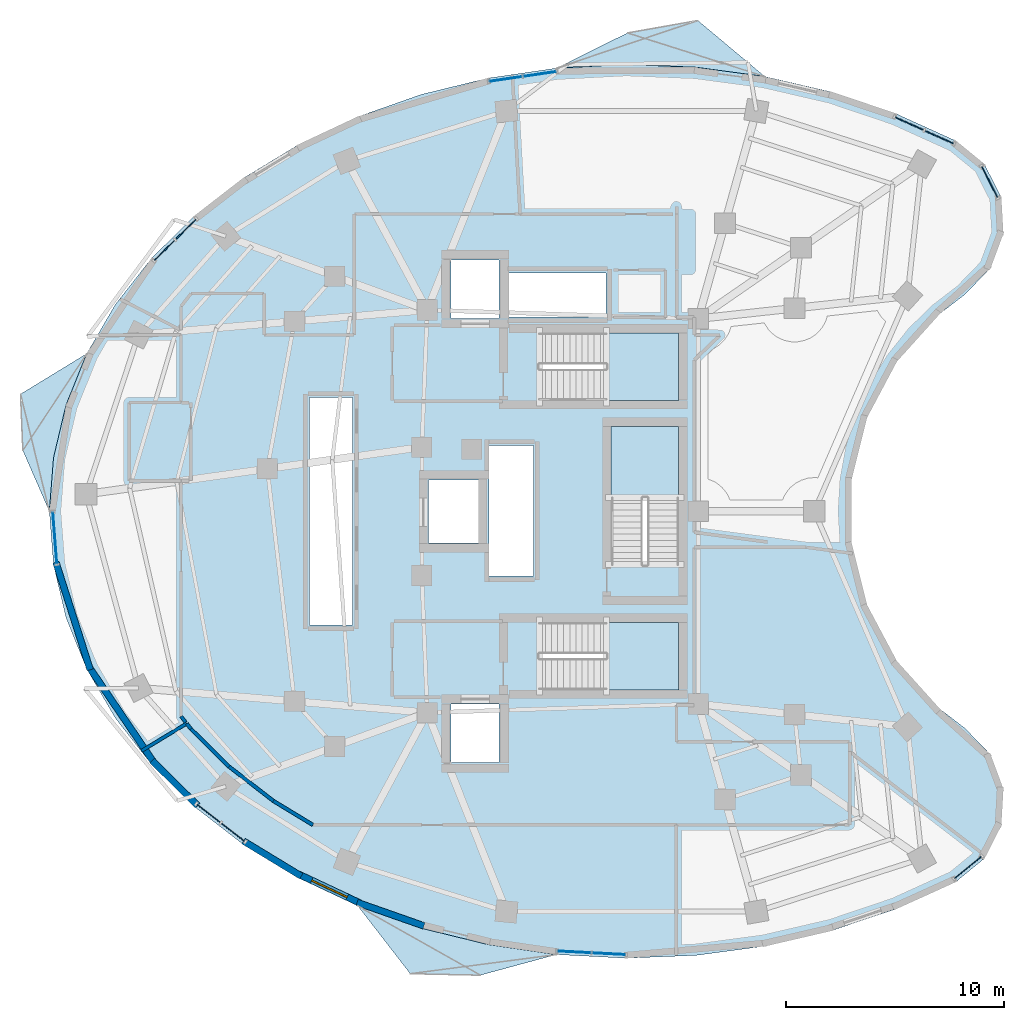
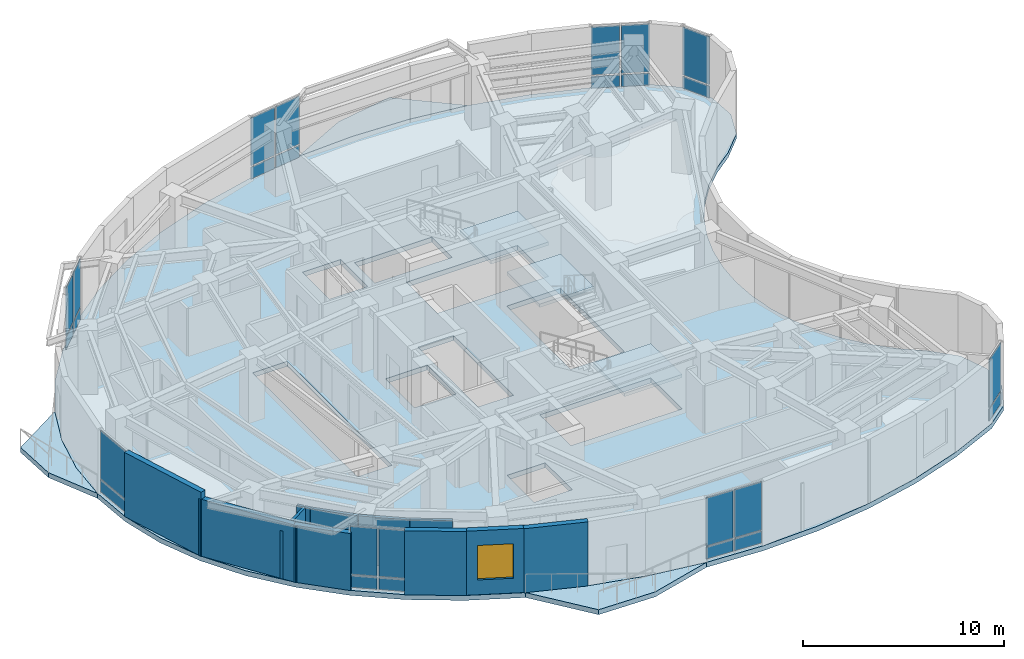
# One storey, part 6 of 12: 26 plates, 12 walls, 7 slabs, 1 window, 1 opening, 11 elements without a shape of their own.
"""IFC4 building model written with IfcOpenShell, lengths in metres."""

from ifc_helpers import new_model, si_unit, direction, frame, frame_2d, origin, origin_2d, place, context, subcontext, project, spatial, polyline, rectangle, outline, extrude, material, layer, layer_set, type_object, element, fill, aggregate, save


model = new_model("IFC4")

# Units and contexts
model_context = context("Model", 3, precision=1e-05, world=origin(), true_north=direction((0.0, 1.0)))
body_context = subcontext(model_context, "Body", "Model", "MODEL_VIEW")
ifc_project = project(units=[si_unit("LENGTHUNIT", "METRE"), si_unit("AREAUNIT", "SQUARE_METRE"), si_unit("VOLUMEUNIT", "CUBIC_METRE"), si_unit("PLANEANGLEUNIT", "RADIAN"), si_unit("MASSUNIT", "GRAM", prefix="KILO")], contexts=[model_context])

# Site, building, storey
site_placement = place(None, origin())
site = spatial("IfcSite", under=ifc_project, at=site_placement, CompositionType="ELEMENT")
building_placement = place(site_placement, origin())
building = spatial("IfcBuilding", under=site, at=building_placement, Name="Korentha Bioscience Tower", CompositionType="ELEMENT")
storey_placement = place(building_placement, frame((0.0, 0.0, 179.39990234375)))
storey = spatial("IfcBuildingStorey", under=building, at=storey_placement, Name="L41", CompositionType="ELEMENT", Elevation=179.39990234375)

# Curtain wall, plates
ifc_material_1 = material(Name="Thermally Broken Aluminium Frame", Category="aluminium")
ifc_layer_1 = layer(ifc_material_1, 0.219970703125, Name="Thermally Broken Aluminium Frame")
ifc_layer_set_1 = layer_set([ifc_layer_1], Name="Thermally Broken Aluminium Frame (CW-T1)")
curtain_wall_type = type_object("IfcCurtainWallType", Name="Standard Bioscience Lab Unitised Curtain Wall CW-T1", PredefinedType="USERDEFINED", material=ifc_layer_set_1)
curtain_wall_1_placement = place(storey_placement, origin())
curtain_wall_1 = element("IfcCurtainWall", 1, at=curtain_wall_1_placement, inside=storey, type_object=curtain_wall_type, Name="L41 Curtain Wall 01", ObjectType="UNITISED", PredefinedType="USERDEFINED")
ifc_material_2 = material(Name="Triple-Glazed Low-E Insulated Glass", Category="glass")
ifc_layer_2 = layer(ifc_material_2, 0.0439453125, Name="Triple-Glazed Low-E Insulated Glass")
ifc_layer_set_2 = layer_set([ifc_layer_2], Name="Triple-Glazed Low-E Insulated Glass (GL-44)")
plate_type = type_object("IfcPlateType", Name="Glazed Panel 44mm", PredefinedType="CURTAIN_PANEL", material=ifc_layer_set_2)
plate_1_placement = place(storey_placement, frame((48.625732421875, 44.190673828125, 0.08984375), z_axis=(0.0, 0.0, 1.0), x_axis=(-0.910644398392, 0.413190972406, 0.0)))
plate_1 = element("IfcPlate", 2, at=plate_1_placement, type_object=plate_type, Name="CW-L41-01 Bay 1 Glazed Panel 1", PredefinedType="CURTAIN_PANEL", context=body_context, shape_type="SweptSolid", body=[
    extrude(rectangle(XDim=1.422607421875, YDim=0.0439453125, at=origin_2d()), origin(), (0.0, 0.0, 1.0), 0.715087890625),
])
plate_2_placement = place(storey_placement, frame((48.625732421875, 44.190673828125, 0.89501953125), z_axis=(0.0, 0.0, 1.0), x_axis=(-0.910644398392, 0.413190972406, 0.0)))
plate_2 = element("IfcPlate", 3, at=plate_2_placement, type_object=plate_type, Name="CW-L41-01 Bay 1 Glazed Panel 2", PredefinedType="CURTAIN_PANEL", context=body_context, shape_type="SweptSolid", body=[
    extrude(rectangle(XDim=1.422607421875, YDim=0.0439453125, at=origin_2d()), origin(), (0.0, 0.0, 1.0), 2.9150390625),
])
plate_3_placement = place(storey_placement, frame((47.248291015625, 44.815673828125, 0.08984375), z_axis=(0.0, 0.0, 1.0), x_axis=(-0.910644398392, 0.413190972406, 0.0)))
plate_3 = element("IfcPlate", 4, at=plate_3_placement, type_object=plate_type, Name="CW-L41-01 Bay 2 Glazed Panel 1", PredefinedType="CURTAIN_PANEL", context=body_context, shape_type="SweptSolid", body=[
    extrude(rectangle(XDim=1.422607421875, YDim=0.0439453125, at=origin_2d()), origin(), (0.0, 0.0, 1.0), 0.715087890625),
])
plate_4_placement = place(storey_placement, frame((47.248291015625, 44.815673828125, 0.89501953125), z_axis=(0.0, 0.0, 1.0), x_axis=(-0.910644398392, 0.413190972406, 0.0)))
plate_4 = element("IfcPlate", 5, at=plate_4_placement, type_object=plate_type, Name="CW-L41-01 Bay 2 Glazed Panel 2", PredefinedType="CURTAIN_PANEL", context=body_context, shape_type="SweptSolid", body=[
    extrude(rectangle(XDim=1.422607421875, YDim=0.0439453125, at=origin_2d()), origin(), (0.0, 0.0, 1.0), 2.9150390625),
])
aggregate(curtain_wall_1, [plate_1, plate_2, plate_3, plate_4])

curtain_wall_2_placement = place(storey_placement, origin())
curtain_wall_2 = element("IfcCurtainWall", 6, at=curtain_wall_2_placement, inside=storey, type_object=curtain_wall_type, Name="L41 Curtain Wall 07", ObjectType="UNITISED", PredefinedType="USERDEFINED")
plate_5_placement = place(storey_placement, frame((30.27099609375, 47.090087890625, 0.08984375), z_axis=(0.0, 0.0, 1.0), x_axis=(-0.989461919888, -0.144793332342, 0.0)))
plate_5 = element("IfcPlate", 7, at=plate_5_placement, type_object=plate_type, Name="CW-L41-07 Bay 1 Glazed Panel 1", PredefinedType="CURTAIN_PANEL", context=body_context, shape_type="SweptSolid", body=[
    extrude(rectangle(XDim=1.498291015625, YDim=0.0439453125, at=origin_2d()), origin(), (0.0, 0.0, 1.0), 0.715087890625),
])
plate_6_placement = place(storey_placement, frame((30.27099609375, 47.090087890625, 0.89501953125), z_axis=(0.0, 0.0, 1.0), x_axis=(-0.989461919888, -0.144793332342, 0.0)))
plate_6 = element("IfcPlate", 8, at=plate_6_placement, type_object=plate_type, Name="CW-L41-07 Bay 1 Glazed Panel 2", PredefinedType="CURTAIN_PANEL", context=body_context, shape_type="SweptSolid", body=[
    extrude(rectangle(XDim=1.498291015625, YDim=0.0439453125, at=origin_2d()), origin(), (0.0, 0.0, 1.0), 2.9150390625),
])
plate_7_placement = place(storey_placement, frame((28.69921875, 46.860107421875, 0.08984375), z_axis=(0.0, 0.0, 1.0), x_axis=(-0.989461919888, -0.144793332342, 0.0)))
plate_7 = element("IfcPlate", 9, at=plate_7_placement, type_object=plate_type, Name="CW-L41-07 Bay 2 Glazed Panel 1", PredefinedType="CURTAIN_PANEL", context=body_context, shape_type="SweptSolid", body=[
    extrude(rectangle(XDim=1.498291015625, YDim=0.0439453125, at=origin_2d()), origin(), (0.0, 0.0, 1.0), 0.715087890625),
])
plate_8_placement = place(storey_placement, frame((28.69921875, 46.860107421875, 0.89501953125), z_axis=(0.0, 0.0, 1.0), x_axis=(-0.989461919888, -0.144793332342, 0.0)))
plate_8 = element("IfcPlate", 10, at=plate_8_placement, type_object=plate_type, Name="CW-L41-07 Bay 2 Glazed Panel 2", PredefinedType="CURTAIN_PANEL", context=body_context, shape_type="SweptSolid", body=[
    extrude(rectangle(XDim=1.498291015625, YDim=0.0439453125, at=origin_2d()), origin(), (0.0, 0.0, 1.0), 2.9150390625),
])
aggregate(curtain_wall_2, [plate_5, plate_6, plate_7, plate_8])

curtain_wall_3_placement = place(storey_placement, origin())
curtain_wall_3 = element("IfcCurtainWall", 11, at=curtain_wall_3_placement, inside=storey, type_object=curtain_wall_type, Name="L41 Curtain Wall 13", ObjectType="UNITISED", PredefinedType="USERDEFINED")
plate_9_placement = place(storey_placement, frame((14.00830078125, 39.957763671875, 0.08984375), z_axis=(0.0, 0.0, 1.0), x_axis=(-0.711460557971, -0.702726030862, 0.0)))
plate_9 = element("IfcPlate", 12, at=plate_9_placement, type_object=plate_type, Name="CW-L41-13 Bay 1 Glazed Panel 1", PredefinedType="CURTAIN_PANEL", context=body_context, shape_type="SweptSolid", body=[
    extrude(rectangle(XDim=1.290283203125, YDim=0.0439453125, at=origin_2d()), origin(), (0.0, 0.0, 1.0), 0.715087890625),
])
plate_10_placement = place(storey_placement, frame((14.00830078125, 39.957763671875, 0.89501953125), z_axis=(0.0, 0.0, 1.0), x_axis=(-0.711460557971, -0.702726030862, 0.0)))
plate_10 = element("IfcPlate", 13, at=plate_10_placement, type_object=plate_type, Name="CW-L41-13 Bay 1 Glazed Panel 2", PredefinedType="CURTAIN_PANEL", context=body_context, shape_type="SweptSolid", body=[
    extrude(rectangle(XDim=1.290283203125, YDim=0.0439453125, at=origin_2d()), origin(), (0.0, 0.0, 1.0), 2.9150390625),
])
plate_11_placement = place(storey_placement, frame((13.0263671875, 38.98779296875, 0.08984375), z_axis=(0.0, 0.0, 1.0), x_axis=(-0.711460557971, -0.702726030862, 0.0)))
plate_11 = element("IfcPlate", 14, at=plate_11_placement, type_object=plate_type, Name="CW-L41-13 Bay 2 Glazed Panel 1", PredefinedType="CURTAIN_PANEL", context=body_context, shape_type="SweptSolid", body=[
    extrude(rectangle(XDim=1.290283203125, YDim=0.0439453125, at=origin_2d()), origin(), (0.0, 0.0, 1.0), 0.715087890625),
])
plate_12_placement = place(storey_placement, frame((13.0263671875, 38.98779296875, 0.89501953125), z_axis=(0.0, 0.0, 1.0), x_axis=(-0.711460557971, -0.702726030862, 0.0)))
plate_12 = element("IfcPlate", 15, at=plate_12_placement, type_object=plate_type, Name="CW-L41-13 Bay 2 Glazed Panel 2", PredefinedType="CURTAIN_PANEL", context=body_context, shape_type="SweptSolid", body=[
    extrude(rectangle(XDim=1.290283203125, YDim=0.0439453125, at=origin_2d()), origin(), (0.0, 0.0, 1.0), 2.9150390625),
])
aggregate(curtain_wall_3, [plate_9, plate_10, plate_11, plate_12])

curtain_wall_4_placement = place(storey_placement, origin())
curtain_wall_4 = element("IfcCurtainWall", 16, at=curtain_wall_4_placement, inside=storey, type_object=curtain_wall_type, Name="L41 Curtain Wall 19", ObjectType="UNITISED", PredefinedType="USERDEFINED")
plate_13_placement = place(storey_placement, frame((7.991943359375, 25.781005859375, 0.08984375), z_axis=(0.0, 0.0, 1.0), x_axis=(0.078030772566, -0.996950950916, 0.0)))
plate_13 = element("IfcPlate", 17, at=plate_13_placement, type_object=plate_type, Name="CW-L41-19 Bay 1 Glazed Panel 1", PredefinedType="CURTAIN_PANEL", context=body_context, shape_type="SweptSolid", body=[
    extrude(rectangle(XDim=2.370361328125, YDim=0.0439453125, at=origin_2d()), origin(), (0.0, 0.0, 1.0), 0.715087890625),
])
plate_14_placement = place(storey_placement, frame((7.991943359375, 25.781005859375, 0.89501953125), z_axis=(0.0, 0.0, 1.0), x_axis=(0.078030772566, -0.996950950916, 0.0)))
plate_14 = element("IfcPlate", 18, at=plate_14_placement, type_object=plate_type, Name="CW-L41-19 Bay 1 Glazed Panel 2", PredefinedType="CURTAIN_PANEL", context=body_context, shape_type="SweptSolid", body=[
    extrude(rectangle(XDim=2.370361328125, YDim=0.0439453125, at=origin_2d()), origin(), (0.0, 0.0, 1.0), 2.9150390625),
])
aggregate(curtain_wall_4, [plate_13, plate_14])

curtain_wall_5_placement = place(storey_placement, origin())
curtain_wall_5 = element("IfcCurtainWall", 19, at=curtain_wall_5_placement, inside=storey, type_object=curtain_wall_type, Name="L41 Curtain Wall 25", ObjectType="UNITISED", PredefinedType="USERDEFINED")
plate_15_placement = place(storey_placement, frame((15.0556640625, 13.126953125, 0.08984375), z_axis=(0.0, 0.0, 1.0), x_axis=(0.790546796919, -0.612401634454, 0.0)))
plate_15 = element("IfcPlate", 20, at=plate_15_placement, type_object=plate_type, Name="CW-L41-25 Bay 1 Glazed Panel 1", PredefinedType="CURTAIN_PANEL", context=body_context, shape_type="SweptSolid", body=[
    extrude(rectangle(XDim=1.3349609375, YDim=0.0439453125, at=origin_2d()), origin(), (0.0, 0.0, 1.0), 0.715087890625),
])
plate_16_placement = place(storey_placement, frame((15.0556640625, 13.126953125, 0.89501953125), z_axis=(0.0, 0.0, 1.0), x_axis=(0.790546796919, -0.612401634454, 0.0)))
plate_16 = element("IfcPlate", 21, at=plate_16_placement, type_object=plate_type, Name="CW-L41-25 Bay 1 Glazed Panel 2", PredefinedType="CURTAIN_PANEL", context=body_context, shape_type="SweptSolid", body=[
    extrude(rectangle(XDim=1.3349609375, YDim=0.0439453125, at=origin_2d()), origin(), (0.0, 0.0, 1.0), 2.9150390625),
])
plate_17_placement = place(storey_placement, frame((16.18212890625, 12.25439453125, 0.08984375), z_axis=(0.0, 0.0, 1.0), x_axis=(0.790546796919, -0.612401634454, 0.0)))
plate_17 = element("IfcPlate", 22, at=plate_17_placement, type_object=plate_type, Name="CW-L41-25 Bay 2 Glazed Panel 1", PredefinedType="CURTAIN_PANEL", context=body_context, shape_type="SweptSolid", body=[
    extrude(rectangle(XDim=1.3349609375, YDim=0.0439453125, at=origin_2d()), origin(), (0.0, 0.0, 1.0), 0.715087890625),
])
plate_18_placement = place(storey_placement, frame((16.18212890625, 12.25439453125, 0.89501953125), z_axis=(0.0, 0.0, 1.0), x_axis=(0.790546796919, -0.612401634454, 0.0)))
plate_18 = element("IfcPlate", 23, at=plate_18_placement, type_object=plate_type, Name="CW-L41-25 Bay 2 Glazed Panel 2", PredefinedType="CURTAIN_PANEL", context=body_context, shape_type="SweptSolid", body=[
    extrude(rectangle(XDim=1.3349609375, YDim=0.0439453125, at=origin_2d()), origin(), (0.0, 0.0, 1.0), 2.9150390625),
])
aggregate(curtain_wall_5, [plate_15, plate_16, plate_17, plate_18])

curtain_wall_6_placement = place(storey_placement, origin())
curtain_wall_6 = element("IfcCurtainWall", 24, at=curtain_wall_6_placement, inside=storey, type_object=curtain_wall_type, Name="L41 Curtain Wall 31", ObjectType="UNITISED", PredefinedType="USERDEFINED")
plate_19_placement = place(storey_placement, frame((31.849853515625, 6.75390625, 0.08984375), z_axis=(0.0, 0.0, 1.0), x_axis=(0.998637677307, -0.052180355139, 0.0)))
plate_19 = element("IfcPlate", 25, at=plate_19_placement, type_object=plate_type, Name="CW-L41-31 Bay 1 Glazed Panel 1", PredefinedType="CURTAIN_PANEL", context=body_context, shape_type="SweptSolid", body=[
    extrude(rectangle(XDim=1.50830078125, YDim=0.0439453125, at=origin_2d()), origin(), (0.0, 0.0, 1.0), 0.715087890625),
])
plate_20_placement = place(storey_placement, frame((31.849853515625, 6.75390625, 0.89501953125), z_axis=(0.0, 0.0, 1.0), x_axis=(0.998637677307, -0.052180355139, 0.0)))
plate_20 = element("IfcPlate", 26, at=plate_20_placement, type_object=plate_type, Name="CW-L41-31 Bay 1 Glazed Panel 2", PredefinedType="CURTAIN_PANEL", context=body_context, shape_type="SweptSolid", body=[
    extrude(rectangle(XDim=1.50830078125, YDim=0.0439453125, at=origin_2d()), origin(), (0.0, 0.0, 1.0), 2.9150390625),
])
plate_21_placement = place(storey_placement, frame((33.446044921875, 6.67041015625, 0.08984375), z_axis=(0.0, 0.0, 1.0), x_axis=(0.998637677307, -0.052180355139, 0.0)))
plate_21 = element("IfcPlate", 27, at=plate_21_placement, type_object=plate_type, Name="CW-L41-31 Bay 2 Glazed Panel 1", PredefinedType="CURTAIN_PANEL", context=body_context, shape_type="SweptSolid", body=[
    extrude(rectangle(XDim=1.50830078125, YDim=0.0439453125, at=origin_2d()), origin(), (0.0, 0.0, 1.0), 0.715087890625),
])
plate_22_placement = place(storey_placement, frame((33.446044921875, 6.67041015625, 0.89501953125), z_axis=(0.0, 0.0, 1.0), x_axis=(0.998637677307, -0.052180355139, 0.0)))
plate_22 = element("IfcPlate", 28, at=plate_22_placement, type_object=plate_type, Name="CW-L41-31 Bay 2 Glazed Panel 2", PredefinedType="CURTAIN_PANEL", context=body_context, shape_type="SweptSolid", body=[
    extrude(rectangle(XDim=1.50830078125, YDim=0.0439453125, at=origin_2d()), origin(), (0.0, 0.0, 1.0), 2.9150390625),
])
aggregate(curtain_wall_6, [plate_19, plate_20, plate_21, plate_22])

curtain_wall_7_placement = place(storey_placement, origin())
curtain_wall_7 = element("IfcCurtainWall", 29, at=curtain_wall_7_placement, inside=storey, type_object=curtain_wall_type, Name="L41 Curtain Wall 37", ObjectType="UNITISED", PredefinedType="USERDEFINED")
plate_23_placement = place(storey_placement, frame((49.938720703125, 10.637451171875, 0.08984375), z_axis=(0.0, 0.0, 1.0), x_axis=(0.77425646139, 0.632871971251, 0.0)))
plate_23 = element("IfcPlate", 30, at=plate_23_placement, type_object=plate_type, Name="CW-L41-37 Bay 1 Glazed Panel 1", PredefinedType="CURTAIN_PANEL", context=body_context, shape_type="SweptSolid", body=[
    extrude(rectangle(XDim=1.591796875, YDim=0.0439453125, at=origin_2d()), origin(), (0.0, 0.0, 1.0), 0.715087890625),
])
plate_24_placement = place(storey_placement, frame((49.938720703125, 10.637451171875, 0.89501953125), z_axis=(0.0, 0.0, 1.0), x_axis=(0.77425646139, 0.632871971251, 0.0)))
plate_24 = element("IfcPlate", 31, at=plate_24_placement, type_object=plate_type, Name="CW-L41-37 Bay 1 Glazed Panel 2", PredefinedType="CURTAIN_PANEL", context=body_context, shape_type="SweptSolid", body=[
    extrude(rectangle(XDim=1.591796875, YDim=0.0439453125, at=origin_2d()), origin(), (0.0, 0.0, 1.0), 2.9150390625),
])
aggregate(curtain_wall_7, [plate_23, plate_24])

curtain_wall_8_placement = place(storey_placement, origin())
curtain_wall_8 = element("IfcCurtainWall", 32, at=curtain_wall_8_placement, inside=storey, type_object=curtain_wall_type, Name="L41 Curtain Wall 61", ObjectType="UNITISED", PredefinedType="USERDEFINED")
plate_25_placement = place(storey_placement, frame((50.936767578125, 42.124755859375, 0.08984375), z_axis=(0.0, 0.0, 1.0), x_axis=(-0.45428845847, 0.890854643868, 0.0)))
plate_25 = element("IfcPlate", 33, at=plate_25_placement, type_object=plate_type, Name="CW-L41-61 Bay 1 Glazed Panel 1", PredefinedType="CURTAIN_PANEL", context=body_context, shape_type="SweptSolid", body=[
    extrude(rectangle(XDim=1.591796875, YDim=0.0439453125, at=origin_2d()), origin(), (0.0, 0.0, 1.0), 0.715087890625),
])
plate_26_placement = place(storey_placement, frame((50.936767578125, 42.124755859375, 0.89501953125), z_axis=(0.0, 0.0, 1.0), x_axis=(-0.45428845847, 0.890854643868, 0.0)))
plate_26 = element("IfcPlate", 34, at=plate_26_placement, type_object=plate_type, Name="CW-L41-61 Bay 1 Glazed Panel 2", PredefinedType="CURTAIN_PANEL", context=body_context, shape_type="SweptSolid", body=[
    extrude(rectangle(XDim=1.591796875, YDim=0.0439453125, at=origin_2d()), origin(), (0.0, 0.0, 1.0), 2.9150390625),
])
aggregate(curtain_wall_8, [plate_25, plate_26])

# Slab
ifc_material_3 = material(Name="Concrete C50", Category="concrete")
ifc_layer_3 = layer(ifc_material_3, 0.300048828125, Name="Concrete C50")
ifc_layer_set_3 = layer_set([ifc_layer_3], Name="Concrete C50 (SL-L300)")
slab_type_1 = type_object("IfcSlabType", Name="Laboratory Vibration-Controlled Slab 300", PredefinedType="FLOOR", material=ifc_layer_set_3)
slab_1_placement = place(storey_placement, frame((0.0, 0.0, -0.2998046875)))
element("IfcSlab", 35, at=slab_1_placement, inside=storey, type_object=slab_type_1, Name="L41 Tower Structural Floor Slab", PredefinedType="FLOOR", context=body_context, shape_type="SweptSolid", body=[
    extrude(outline(polyline([(49.38525390625, 44.021728515625), (46.62109375, 45.27587890625), (43.681396484375, 46.266357421875), (40.608154296875, 46.978515625), (37.446044921875, 47.40234375), (34.24072265625, 47.531494140625), (31.038330078125, 47.364013671875), (27.88525390625, 46.902587890625), (24.826904296875, 46.154052734375), (21.907470703125, 45.128662109375), (19.169189453125, 43.841552734375), (16.6513671875, 42.311279296875), (14.390380859375, 40.56005859375), (12.419189453125, 38.613037109375), (10.76611328125, 36.498291015625), (9.454833984375, 34.246337890625), (8.504638671875, 31.889892578125), (7.9287109375, 29.462646484375), (7.736083984375, 27.0), (7.9287109375, 24.537353515625), (8.504638671875, 22.110107421875), (9.454833984375, 19.753662109375), (10.76611328125, 17.501708984375), (12.419189453125, 15.386962890625), (14.390380859375, 13.43994140625), (16.6513671875, 11.688720703125), (19.169189453125, 10.158447265625), (21.907470703125, 8.871337890625), (24.826904296875, 7.845947265625), (27.88525390625, 7.097412109375), (31.038330078125, 6.635986328125), (34.24072265625, 6.468505859375), (37.446044921875, 6.59765625), (40.608154296875, 7.021484375), (43.681396484375, 7.733642578125), (46.62109375, 8.72412109375), (49.38525390625, 9.978271484375), (50.695068359375, 11.048828125), (51.46337890625, 12.55615234375), (51.560791015625, 14.2451171875), (50.970458984375, 15.83056640625), (49.792236328125, 17.044677734375), (48.629150390625, 17.937255859375), (47.583251953125, 18.96484375), (46.670654296875, 20.1123046875), (45.904541015625, 21.3623046875), (45.29638671875, 22.696533203125), (44.855712890625, 24.094970703125), (44.58837890625, 25.53662109375), (44.498779296875, 27.0), (44.58837890625, 28.46337890625), (44.855712890625, 29.905029296875), (45.29638671875, 31.303466796875), (45.904541015625, 32.6376953125), (46.670654296875, 33.8876953125), (47.583251953125, 35.03515625), (48.629150390625, 36.062744140625), (49.792236328125, 36.955322265625), (50.970458984375, 38.16943359375), (51.560791015625, 39.7548828125), (51.46337890625, 41.44384765625), (50.695068359375, 42.951171875), (49.38525390625, 44.021728515625)]), holes=[polyline([(30.25, 32.10009765625), (36.64990234375, 32.10009765625), (36.64990234375, 35.199951171875), (30.25, 35.199951171875), (30.25, 32.10009765625)]), polyline([(30.25, 18.800048828125), (36.64990234375, 18.800048828125), (36.64990234375, 21.89990234375), (30.25, 21.89990234375), (30.25, 18.800048828125)]), polyline([(36.64990234375, 24.550048828125), (36.64990234375, 30.89990234375), (33.550048828125, 30.89990234375), (33.550048828125, 24.550048828125), (36.64990234375, 24.550048828125)]), polyline([(19.679931640625, 21.780029296875), (21.669921875, 21.780029296875), (21.669921875, 32.219970703125), (19.679931640625, 32.219970703125), (19.679931640625, 21.780029296875)]), polyline([(27.929931640625, 24.030029296875), (29.969970703125, 24.030029296875), (29.969970703125, 30.02001953125), (27.929931640625, 30.02001953125), (27.929931640625, 24.030029296875)]), polyline([(28.860107421875, 35.93994140625), (33.31005859375, 35.93994140625), (33.31005859375, 37.9599609375), (28.860107421875, 37.9599609375), (28.860107421875, 35.93994140625)]), polyline([(26.199951171875, 15.449951171875), (28.39990234375, 15.449951171875), (28.39990234375, 18.14990234375), (26.199951171875, 18.14990234375), (26.199951171875, 15.449951171875)]), polyline([(26.199951171875, 35.85009765625), (28.39990234375, 35.85009765625), (28.39990234375, 38.550048828125), (26.199951171875, 38.550048828125), (26.199951171875, 35.85009765625)]), polyline([(25.14990234375, 25.550048828125), (27.550048828125, 25.550048828125), (27.550048828125, 28.449951171875), (25.14990234375, 28.449951171875), (25.14990234375, 25.550048828125)])]), origin(), (0.0, 0.0, 1.0), 0.2998046875),
])

# Stair, slab
ifc_material_4 = material(Name="Precast Concrete C50", Category="concrete")
stair_type = type_object("IfcStairType", Name="Core Exit Dog-Leg Stair 1450", PredefinedType="HALF_TURN_STAIR", material=ifc_material_4)
stair_1_placement = place(storey_placement, origin())
stair_1 = element("IfcStair", 36, at=stair_1_placement, inside=storey, type_object=stair_type, Name="L41 Tower North Pressurized Exit Stair ST-1", PredefinedType="HALF_TURN_STAIR")
ifc_layer_4 = layer(ifc_material_3, 0.199951171875, Name="Concrete C50")
ifc_layer_set_4 = layer_set([ifc_layer_4], Name="Concrete C50 (SL-LND)")
slab_type_2 = type_object("IfcSlabType", Name="Landing Slab 200", PredefinedType="LANDING", material=ifc_layer_set_4)
slab_2_placement = place(storey_placement, frame((0.0, 0.0, 1.900146484375)))
slab_2 = element("IfcSlab", 37, at=slab_2_placement, type_object=slab_type_2, Name="ST-1 landing 1", PredefinedType="LANDING", context=body_context, shape_type="SweptSolid", body=[
    extrude(outline(polyline([(33.330078125, 32.10009765625), (36.64990234375, 32.10009765625), (36.64990234375, 35.199951171875), (33.330078125, 35.199951171875), (33.330078125, 32.10009765625)])), origin(), (0.0, 0.0, 1.0), 0.199951171875),
])
aggregate(stair_1, [slab_2])

stair_2_placement = place(storey_placement, origin())
stair_2 = element("IfcStair", 38, at=stair_2_placement, inside=storey, type_object=stair_type, Name="L41 Tower South Pressurized Exit Stair ST-2", PredefinedType="HALF_TURN_STAIR")
slab_3_placement = place(storey_placement, frame((0.0, 0.0, 1.900146484375)))
slab_3 = element("IfcSlab", 39, at=slab_3_placement, type_object=slab_type_2, Name="ST-2 landing 1", PredefinedType="LANDING", context=body_context, shape_type="SweptSolid", body=[
    extrude(outline(polyline([(33.330078125, 18.800048828125), (36.64990234375, 18.800048828125), (36.64990234375, 21.89990234375), (33.330078125, 21.89990234375), (33.330078125, 18.800048828125)])), origin(), (0.0, 0.0, 1.0), 0.199951171875),
])
aggregate(stair_2, [slab_3])

stair_3_placement = place(storey_placement, origin())
stair_3 = element("IfcStair", 40, at=stair_3_placement, inside=storey, type_object=stair_type, Name="L41 Tower Central Pressurized Exit Stair ST-3", PredefinedType="HALF_TURN_STAIR")
slab_4_placement = place(storey_placement, frame((0.0, 0.0, 1.900146484375)))
slab_4 = element("IfcSlab", 41, at=slab_4_placement, type_object=slab_type_2, Name="ST-3 landing 1", PredefinedType="LANDING", context=body_context, shape_type="SweptSolid", body=[
    extrude(outline(polyline([(36.64990234375, 27.6298828125), (36.64990234375, 30.89990234375), (33.550048828125, 30.89990234375), (33.550048828125, 27.6298828125), (36.64990234375, 27.6298828125)])), origin(), (0.0, 0.0, 1.0), 0.199951171875),
])
aggregate(stair_3, [slab_4])

# Slabs
ifc_layer_5 = layer(ifc_material_3, 0.300048828125, Name="Concrete C50")
ifc_layer_set_5 = layer_set([ifc_layer_5], Name="Concrete C50 (BS-240)")
slab_type_3 = type_object("IfcSlabType", Name="Sawtooth Sun-Ledge Balcony Slab 240", PredefinedType="USERDEFINED", material=ifc_layer_set_5)
slab_5_placement = place(storey_placement, frame((0.0, 0.0, -0.2998046875)))
element("IfcSlab", 42, at=slab_5_placement, inside=storey, type_object=slab_type_3, Name="L41 Sun-Ledge Balcony 01", ObjectType="BALCONY", PredefinedType="USERDEFINED", context=body_context, shape_type="SweptSolid", body=[
    extrude(outline(polyline([(31.038330078125, 47.364013671875), (34.24072265625, 47.531494140625), (37.446044921875, 47.40234375), (40.608154296875, 46.978515625), (37.53271484375, 49.550537109375), (34.29931640625, 48.980224609375), (31.038330078125, 47.364013671875)])), origin(), (0.0, 0.0, 1.0), 0.2998046875),
])
slab_6_placement = place(storey_placement, frame((0.0, 0.0, -0.2998046875)))
element("IfcSlab", 43, at=slab_6_placement, inside=storey, type_object=slab_type_3, Name="L41 Sun-Ledge Balcony 02", ObjectType="BALCONY", PredefinedType="USERDEFINED", context=body_context, shape_type="SweptSolid", body=[
    extrude(outline(polyline([(7.736083984375, 27.0), (7.9287109375, 29.462646484375), (8.504638671875, 31.889892578125), (9.454833984375, 34.246337890625), (6.41259765625, 32.385986328125), (6.517822265625, 29.79736328125), (7.736083984375, 27.0)])), origin(), (0.0, 0.0, 1.0), 0.2998046875),
])
slab_7_placement = place(storey_placement, frame((0.0, 0.0, -0.2998046875)))
element("IfcSlab", 44, at=slab_7_placement, inside=storey, type_object=slab_type_3, Name="L41 Sun-Ledge Balcony 03", ObjectType="BALCONY", PredefinedType="USERDEFINED", context=body_context, shape_type="SweptSolid", body=[
    extrude(outline(polyline([(31.038330078125, 6.635986328125), (27.88525390625, 7.097412109375), (24.826904296875, 7.845947265625), (21.907470703125, 8.871337890625), (24.315673828125, 5.7578125), (27.54052734375, 5.68896484375), (31.038330078125, 6.635986328125)])), origin(), (0.0, 0.0, 1.0), 0.2998046875),
])

# Walls
ifc_material_5 = material(Name="Double-Stud Acoustic Gypsum", Category="gypsum")
ifc_layer_6 = layer(ifc_material_5, 0.14990234375, Name="Double-Stud Acoustic Gypsum")
ifc_layer_set_6 = layer_set([ifc_layer_6], Name="Double-Stud Acoustic Gypsum (IW-L150)")
wall_type_1 = type_object("IfcWallType", Name="Acoustic Laboratory Partition Wall 150", PredefinedType="PARTITIONING", material=ifc_layer_set_6)
wall_1_placement = place(storey_placement, frame((13.7919921875, 17.576416015625, 0.0), z_axis=(0.0, 0.0, 1.0), x_axis=(0.61611141045, -0.78765901881, 0.0)))
element("IfcWall", 45, at=wall_1_placement, inside=storey, type_object=wall_type_1, Name="L41 Interior Partition 018", PredefinedType="PARTITIONING", context=body_context, shape_type="SweptSolid", body=[
    extrude(rectangle(XDim=0.33447265625, YDim=0.14990234375, at=frame_2d((0.167236328125, 0.0))), origin(), (0.0, 0.0, 1.0), 2.91015625),
])
wall_2_placement = place(storey_placement, frame((14.04638671875, 17.251220703125, 0.0), z_axis=(0.0, 0.0, 1.0), x_axis=(-0.854959737725, -0.518694367494, 0.0)))
element("IfcWall", 46, at=wall_2_placement, inside=storey, type_object=wall_type_1, Name="L41 Interior Partition 019", PredefinedType="PARTITIONING", context=body_context, shape_type="SweptSolid", body=[
    extrude(rectangle(XDim=2.425048828125, YDim=0.14990234375, at=frame_2d((1.21240234375, 0.0))), origin(), (0.0, 0.0, 1.0), 2.91015625),
])
ifc_material_6 = material(Name="Gypsum-Clad Steel Stud", Category="steel")
ifc_layer_7 = layer(ifc_material_6, 0.159912109375, Name="Gypsum-Clad Steel Stud")
ifc_layer_set_7 = layer_set([ifc_layer_7], Name="Gypsum-Clad Steel Stud (IW-C160)")
wall_type_2 = type_object("IfcWallType", Name="Fire-Rated Corridor Partition Wall 160", PredefinedType="PARTITIONING", material=ifc_layer_set_7)
wall_3_placement = place(storey_placement, frame((14.052490234375, 17.243408203125, 0.0), z_axis=(0.0, 0.0, 1.0), x_axis=(0.615628260214, -0.788036702969, 0.0)))
element("IfcWall", 47, at=wall_3_placement, inside=storey, type_object=wall_type_2, Name="L41 Interior Partition 020", PredefinedType="PARTITIONING", context=body_context, shape_type="SweptSolid", body=[
    extrude(rectangle(XDim=0.30029296875, YDim=0.159912109375, at=frame_2d((0.150146484375, 0.0))), origin(), (0.0, 0.0, 1.0), 2.91015625),
])
wall_4_placement = place(storey_placement, frame((14.23828125, 17.005859375, 0.0), z_axis=(0.0, 0.0, 1.0), x_axis=(0.711447157113, -0.702739598027, 0.0)))
element("IfcWall", 48, at=wall_4_placement, inside=storey, type_object=wall_type_2, Name="L41 Interior Partition 021", PredefinedType="PARTITIONING", context=body_context, shape_type="SweptSolid", body=[
    extrude(rectangle(XDim=2.46728515625, YDim=0.159912109375, at=frame_2d((1.233642578125, 0.0))), origin(), (0.0, 0.0, 1.0), 2.91015625),
])
wall_5_placement = place(storey_placement, frame((15.99462890625, 15.27099609375, 0.0), z_axis=(0.0, 0.0, 1.0), x_axis=(0.790550458789, -0.61239690733, 0.0)))
element("IfcWall", 49, at=wall_5_placement, inside=storey, type_object=wall_type_2, Name="L41 Interior Partition 022", PredefinedType="PARTITIONING", context=body_context, shape_type="SweptSolid", body=[
    extrude(rectangle(XDim=2.574951171875, YDim=0.159912109375, at=frame_2d((1.28759765625, 0.0))), origin(), (0.0, 0.0, 1.0), 2.91015625),
])
wall_6_placement = place(storey_placement, frame((18.03125, 13.693603515625, 0.0), z_axis=(0.0, 0.0, 1.0), x_axis=(0.85454497186, -0.51937740716, 0.0)))
element("IfcWall", 50, at=wall_6_placement, inside=storey, type_object=wall_type_2, Name="L41 Interior Partition 023", PredefinedType="PARTITIONING", context=body_context, shape_type="SweptSolid", body=[
    extrude(rectangle(XDim=2.121826171875, YDim=0.159912109375, at=frame_2d((1.06103515625, 0.0))), origin(), (0.0, 0.0, 1.0), 2.91015625),
])

# Wall, opening, window
ifc_material_7 = material(Name="Honed Limestone Precast Concrete C40", Category="masonry")
ifc_layer_8 = layer(ifc_material_7, 0.300048828125, Name="Honed Limestone Precast Concrete C40")
ifc_layer_set_8 = layer_set([ifc_layer_8], Name="Honed Limestone Precast Concrete C40 (EW-ST300)")
wall_type_3 = type_object("IfcWallType", Name="Honed Limestone Cavity Spandrel Wall 300", PredefinedType="STANDARD", material=ifc_layer_set_8)
wall_7_placement = place(storey_placement, frame((19.182861328125, 10.32861328125, 0.0), z_axis=(0.0, 0.0, 1.0), x_axis=(0.905013842092, -0.425382117186, 0.0)))
wall_7 = element("IfcWall", 51, at=wall_7_placement, inside=storey, type_object=wall_type_3, Name="L41 Honed Limestone Spandrel Wall 27", PredefinedType="STANDARD", context=body_context, shape_type="SweptSolid", body=[
    extrude(rectangle(XDim=3.145751953125, YDim=0.300048828125, at=frame_2d((1.57275390625, 0.0))), origin(), (0.0, 0.0, 1.0), 3.900146484375),
])
opening_placement = place(wall_7_placement, frame((0.6728515625, 0.0, 0.89990234375)))
opening = element("IfcOpeningElement", 52, at=opening_placement, cuts=wall_7, Name="Opening WN-01", PredefinedType="OPENING", context=body_context, shape_type="SweptSolid", body=[
    extrude(rectangle(XDim=1.800048828125, YDim=2.10009765625, at=frame_2d((0.89990234375, 1.050048828125))), frame((0.0, 0.1650390625, 0.0), z_axis=(0.0, -1.0, 0.0), x_axis=(1.0, 0.0, 0.0)), (0.0, 0.0, 1.0), 0.329833984375),
])
ifc_material_8 = material(Name="Thermally Broken Aluminium Triple Glazing", Category="aluminium")
window_type = type_object("IfcWindowType", Name="Triple-Glazed Fixed Bioscience Window 1800x2100", PartitioningType="SINGLE_PANEL", PredefinedType="WINDOW", material=ifc_material_8)
window_placement = place(opening_placement, origin())
window = element("IfcWindow", 53, at=window_placement, inside=storey, type_object=window_type, Name="L41 Facade Window 27", OverallHeight=2.10009765625, OverallWidth=1.800048828125, PartitioningType="SINGLE_PANEL", PredefinedType="WINDOW", context=body_context, shape_type="SweptSolid", body=[
    extrude(rectangle(XDim=1.800048828125, YDim=2.10009765625, at=frame_2d((0.89990234375, 1.050048828125))), frame((0.0, 0.030029296875, 0.0), z_axis=(0.0, -1.0, 0.0), x_axis=(1.0, 0.0, 0.0)), (0.0, 0.0, 1.0), 0.06005859375),
])
fill(opening, window)

# Walls
wall_8_placement = place(storey_placement, frame((8.037841796875, 24.656005859375, 0.0), z_axis=(0.0, 0.0, 1.0), x_axis=(0.303930984078, -0.952694052106, 0.0)))
element("IfcWall", 54, at=wall_8_placement, inside=storey, type_object=wall_type_3, Name="L41 Limestone Perimeter Closure Wall 20", PredefinedType="STANDARD", context=body_context, shape_type="SweptSolid", body=[
    extrude(rectangle(XDim=5.18115234375, YDim=0.300048828125, at=frame_2d((2.590576171875, 0.0))), origin(), (0.0, 0.0, 1.0), 3.900146484375),
])
wall_9_placement = place(storey_placement, frame((9.52587890625, 19.8984375, 0.0), z_axis=(0.0, 0.0, 1.0), x_axis=(0.561663900064, -0.827365495634, 0.0)))
element("IfcWall", 55, at=wall_9_placement, inside=storey, type_object=wall_type_3, Name="L41 Limestone Perimeter Closure Wall 22", PredefinedType="STANDARD", context=body_context, shape_type="SweptSolid", body=[
    extrude(rectangle(XDim=5.437744140625, YDim=0.300048828125, at=frame_2d((2.71875, 0.0))), origin(), (0.0, 0.0, 1.0), 3.47021484375),
])
wall_10_placement = place(storey_placement, frame((12.460693359375, 15.542724609375, 0.0), z_axis=(0.0, 0.0, 1.0), x_axis=(0.711508162911, -0.702677830951, 0.0)))
element("IfcWall", 56, at=wall_10_placement, inside=storey, type_object=wall_type_3, Name="L41 Limestone Perimeter Closure Wall 24", PredefinedType="STANDARD", context=body_context, shape_type="SweptSolid", body=[
    extrude(rectangle(XDim=2.9306640625, YDim=0.300048828125, at=frame_2d((1.46533203125, 0.0))), origin(), (0.0, 0.0, 1.0), 3.47021484375),
])
wall_11_placement = place(storey_placement, frame((16.655517578125, 11.849853515625, 0.0), z_axis=(0.0, 0.0, 1.0), x_axis=(0.854580756668, -0.519318524928, 0.0)))
element("IfcWall", 57, at=wall_11_placement, inside=storey, type_object=wall_type_3, Name="L41 Limestone Perimeter Closure Wall 26", PredefinedType="STANDARD", context=body_context, shape_type="SweptSolid", body=[
    extrude(rectangle(XDim=3.1064453125, YDim=0.300048828125, at=frame_2d((1.55322265625, 0.0))), origin(), (0.0, 0.0, 1.0), 3.900146484375),
])
wall_12_placement = place(storey_placement, frame((21.87841796875, 9.02978515625, 0.0), z_axis=(0.0, 0.0, 1.0), x_axis=(0.94352100271, -0.331312718509, 0.0)))
element("IfcWall", 58, at=wall_12_placement, inside=storey, type_object=wall_type_3, Name="L41 Limestone Perimeter Closure Wall 28", PredefinedType="STANDARD", context=body_context, shape_type="SweptSolid", body=[
    extrude(rectangle(XDim=3.254150390625, YDim=0.300048828125, at=frame_2d((1.626953125, 0.0))), origin(), (0.0, 0.0, 1.0), 3.900146484375),
])

save(model, "model.ifc")
